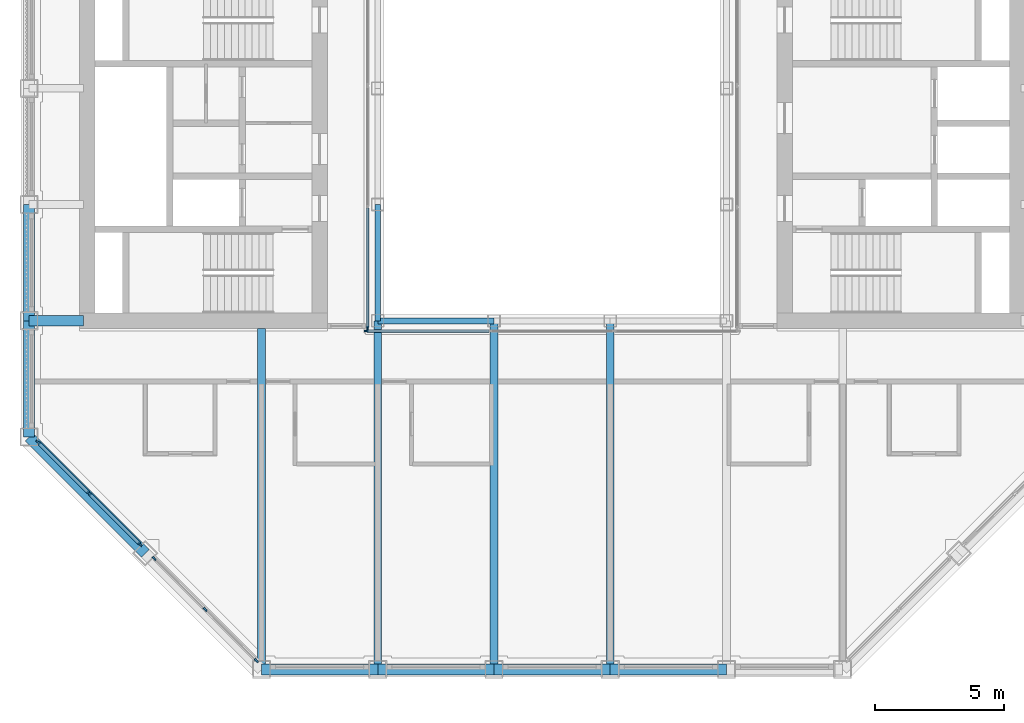
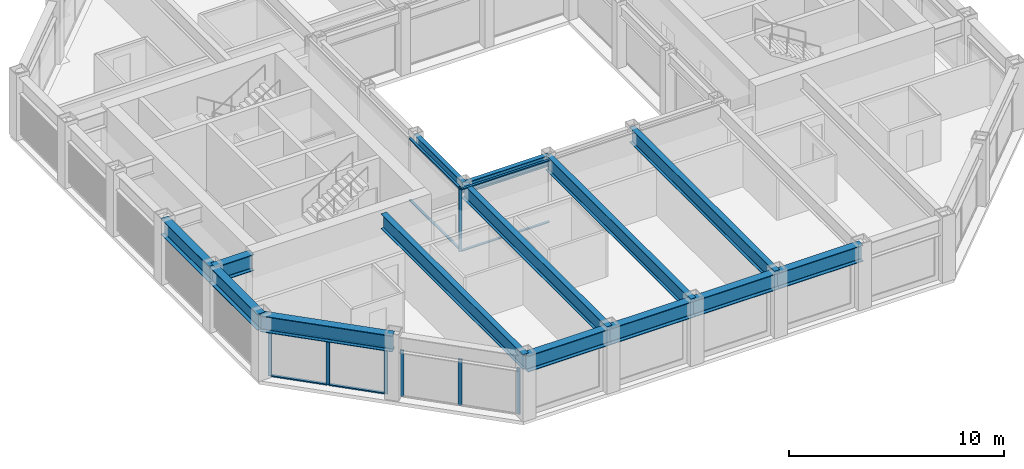
# One storey, part 2 of 16: 16 members, 14 beams, 4 elements without a shape of their own.
"""IFC4 building model written with IfcOpenShell, lengths in metres."""

from ifc_helpers import new_model, si_unit, direction, frame, origin, origin_2d, place, context, subcontext, project, spatial, rectangle, i_section, extrude, material, material_profile, profile_set, type_object, element, aggregate, save


model = new_model("IFC4")

# Units and contexts
model_context = context("Model", 3, precision=1e-05, world=origin(), true_north=direction((0.0, 1.0)))
body_context = subcontext(model_context, "Body", "Model", "MODEL_VIEW")
ifc_project = project(units=[si_unit("LENGTHUNIT", "METRE"), si_unit("AREAUNIT", "SQUARE_METRE"), si_unit("VOLUMEUNIT", "CUBIC_METRE"), si_unit("PLANEANGLEUNIT", "RADIAN"), si_unit("MASSUNIT", "GRAM", prefix="KILO")], contexts=[model_context])

# Site, building, storey
site_placement = place(None, origin())
site = spatial("IfcSite", under=ifc_project, at=site_placement, CompositionType="ELEMENT")
building_placement = place(site_placement, origin())
building = spatial("IfcBuilding", under=site, at=building_placement, Name="Msasa Ring Tower", CompositionType="ELEMENT")
storey_placement = place(building_placement, frame((0.0, 0.0, 219.550048828125)))
storey = spatial("IfcBuildingStorey", under=building, at=storey_placement, Name="L57", CompositionType="ELEMENT", Elevation=219.550048828125)

# Curtain wall, members
ifc_material_1 = material(Name="Aluminium curtain wall with clear glass", Category="aluminium")
curtain_wall_type_1 = type_object("IfcCurtainWallType", Name="CW-C CHAMFER CORNER CURTAIN WALL", PredefinedType="NOTDEFINED", material=ifc_material_1)
curtain_wall_1_placement = place(storey_placement, origin())
curtain_wall_1 = element("IfcCurtainWall", 1, at=curtain_wall_1_placement, inside=storey, type_object=curtain_wall_type_1, Name="Chamfer corner curtain wall SW L57", PredefinedType="NOTDEFINED")
ifc_material_2 = material(Name="Aluminium mullion", Category="aluminium")
ifc_material_profile_1 = material_profile(ifc_material_2, rectangle(XDim=0.06494140625, YDim=0.179931640625, at=origin_2d()), Name="AL 65x180")
ifc_profile_set_1 = profile_set([ifc_material_profile_1], Name="Aluminium mullion")
member_type_1 = type_object("IfcMemberType", Name="CW-C MULLION 65x180", PredefinedType="MULLION", material=ifc_profile_set_1)
member_1_placement = place(storey_placement, frame((-19.9052734375, -11.453369140625, 0.0), z_axis=(0.0, 0.0, 1.0), x_axis=(0.707106781187, 0.707106781187, 0.0)))
member_1 = element("IfcMember", 2, at=member_1_placement, type_object=member_type_1, Name="CW-C mullion 1", PredefinedType="MULLION", context=body_context, shape_type="SweptSolid", body=[
    extrude(rectangle(XDim=0.06494140625, YDim=0.179931640625, at=origin_2d()), origin(), (0.0, 0.0, 1.0), 2.62890625),
])
member_2_placement = place(storey_placement, frame((-17.92919921875, -13.42919921875, 0.0), z_axis=(0.0, 0.0, 1.0), x_axis=(0.707106781187, 0.707106781187, 0.0)))
member_2 = element("IfcMember", 3, at=member_2_placement, type_object=member_type_1, Name="CW-C mullion 2", PredefinedType="MULLION", context=body_context, shape_type="SweptSolid", body=[
    extrude(rectangle(XDim=0.06494140625, YDim=0.179931640625, at=origin_2d()), origin(), (0.0, 0.0, 1.0), 2.62890625),
])
member_3_placement = place(storey_placement, frame((-15.953369140625, -15.4052734375, 0.0), z_axis=(0.0, 0.0, 1.0), x_axis=(0.707106781187, 0.707106781187, 0.0)))
member_3 = element("IfcMember", 4, at=member_3_placement, type_object=member_type_1, Name="CW-C mullion 3", PredefinedType="MULLION", context=body_context, shape_type="SweptSolid", body=[
    extrude(rectangle(XDim=0.06494140625, YDim=0.179931640625, at=origin_2d()), origin(), (0.0, 0.0, 1.0), 2.62890625),
])

curtain_wall_2_placement = place(storey_placement, origin())
curtain_wall_2 = element("IfcCurtainWall", 5, at=curtain_wall_2_placement, inside=storey, type_object=curtain_wall_type_1, Name="Chamfer corner curtain wall SW L57", PredefinedType="NOTDEFINED")
member_4_placement = place(storey_placement, frame((-15.4052734375, -15.953369140625, 0.0), z_axis=(0.0, 0.0, 1.0), x_axis=(0.707106781187, 0.707106781187, 0.0)))
member_4 = element("IfcMember", 6, at=member_4_placement, type_object=member_type_1, Name="CW-C mullion 1", PredefinedType="MULLION", context=body_context, shape_type="SweptSolid", body=[
    extrude(rectangle(XDim=0.06494140625, YDim=0.179931640625, at=origin_2d()), origin(), (0.0, 0.0, 1.0), 2.62890625),
])
member_5_placement = place(storey_placement, frame((-13.42919921875, -17.92919921875, 0.0), z_axis=(0.0, 0.0, 1.0), x_axis=(0.707106781187, 0.707106781187, 0.0)))
member_5 = element("IfcMember", 7, at=member_5_placement, type_object=member_type_1, Name="CW-C mullion 2", PredefinedType="MULLION", context=body_context, shape_type="SweptSolid", body=[
    extrude(rectangle(XDim=0.06494140625, YDim=0.179931640625, at=origin_2d()), origin(), (0.0, 0.0, 1.0), 2.62890625),
])
member_6_placement = place(storey_placement, frame((-11.453369140625, -19.9052734375, 0.0), z_axis=(0.0, 0.0, 1.0), x_axis=(0.707106781187, 0.707106781187, 0.0)))
member_6 = element("IfcMember", 8, at=member_6_placement, type_object=member_type_1, Name="CW-C mullion 3", PredefinedType="MULLION", context=body_context, shape_type="SweptSolid", body=[
    extrude(rectangle(XDim=0.06494140625, YDim=0.179931640625, at=origin_2d()), origin(), (0.0, 0.0, 1.0), 2.62890625),
])
aggregate(curtain_wall_2, [member_4, member_5, member_6])

# Member
ifc_material_3 = material(Name="Aluminium transom", Category="aluminium")
ifc_material_profile_2 = material_profile(ifc_material_3, rectangle(XDim=0.139892578125, YDim=0.06494140625, at=origin_2d()), Name="AL 65x140")
ifc_profile_set_2 = profile_set([ifc_material_profile_2], Name="Aluminium transom")
member_type_2 = type_object("IfcMemberType", Name="CW-C TRANSOM 65x140", PredefinedType="USERDEFINED", material=ifc_profile_set_2)
member_7_placement = place(storey_placement, frame((-19.88232421875, -11.476318359375, 0.032470703125), z_axis=(0.707106781187, -0.707106781187, 0.0), x_axis=(0.707106781187, 0.707106781187, 0.0)))
member_7 = element("IfcMember", 9, at=member_7_placement, type_object=member_type_2, Name="CW-C transom 1.1", ObjectType="TRANSOM", PredefinedType="USERDEFINED", context=body_context, shape_type="SweptSolid", body=[
    extrude(rectangle(XDim=0.139892578125, YDim=0.06494140625, at=origin_2d()), origin(), (0.0, 0.0, 1.0), 2.729248046875),
])

member_8_placement = place(storey_placement, frame((-19.88232421875, -11.476318359375, 2.596435546875), z_axis=(0.707106781187, -0.707106781187, 0.0), x_axis=(0.707106781187, 0.707106781187, 0.0)))
member_8 = element("IfcMember", 10, at=member_8_placement, type_object=member_type_2, Name="CW-C transom 1.2", ObjectType="TRANSOM", PredefinedType="USERDEFINED", context=body_context, shape_type="SweptSolid", body=[
    extrude(rectangle(XDim=0.139892578125, YDim=0.06494140625, at=origin_2d()), origin(), (0.0, 0.0, 1.0), 2.729248046875),
])

member_9_placement = place(storey_placement, frame((-17.90625, -13.452392578125, 0.032470703125), z_axis=(0.707106781187, -0.707106781187, 0.0), x_axis=(0.707106781187, 0.707106781187, 0.0)))
member_9 = element("IfcMember", 11, at=member_9_placement, type_object=member_type_2, Name="CW-C transom 2.1", ObjectType="TRANSOM", PredefinedType="USERDEFINED", context=body_context, shape_type="SweptSolid", body=[
    extrude(rectangle(XDim=0.139892578125, YDim=0.06494140625, at=origin_2d()), origin(), (0.0, 0.0, 1.0), 2.729248046875),
])

member_10_placement = place(storey_placement, frame((-17.90625, -13.452392578125, 2.596435546875), z_axis=(0.707106781187, -0.707106781187, 0.0), x_axis=(0.707106781187, 0.707106781187, 0.0)))
member_10 = element("IfcMember", 12, at=member_10_placement, type_object=member_type_2, Name="CW-C transom 2.2", ObjectType="TRANSOM", PredefinedType="USERDEFINED", context=body_context, shape_type="SweptSolid", body=[
    extrude(rectangle(XDim=0.139892578125, YDim=0.06494140625, at=origin_2d()), origin(), (0.0, 0.0, 1.0), 2.729248046875),
])

aggregate(curtain_wall_1, [member_1, member_2, member_3, member_7, member_8, member_9, member_10])

# Curtain wall, member
ifc_material_4 = material(Name="Aluminium curtain wall with clear glass", Category="aluminium")
curtain_wall_type_2 = type_object("IfcCurtainWallType", Name="CW-W LIGHT WELL CURTAIN WALL", PredefinedType="NOTDEFINED", material=ifc_material_4)
curtain_wall_3_placement = place(storey_placement, origin())
curtain_wall_3 = element("IfcCurtainWall", 13, at=curtain_wall_3_placement, inside=storey, type_object=curtain_wall_type_2, Name="Light well curtain wall S L57", PredefinedType="NOTDEFINED")
ifc_material_5 = material(Name="Aluminium mullion", Category="aluminium")
ifc_material_profile_3 = material_profile(ifc_material_5, rectangle(XDim=0.06005859375, YDim=0.159912109375, at=origin_2d()), Name="AL 60x160")
ifc_profile_set_3 = profile_set([ifc_material_profile_3], Name="Aluminium mullion")
member_type_3 = type_object("IfcMemberType", Name="CW-W MULLION 60x160", PredefinedType="MULLION", material=ifc_profile_set_3)
member_11_placement = place(storey_placement, frame((-7.199951171875, -7.14990234375, 0.0), z_axis=(0.0, 0.0, 1.0), x_axis=(0.0, 1.0, 0.0)))
member_11 = element("IfcMember", 14, at=member_11_placement, type_object=member_type_3, Name="CW-W mullion 1", PredefinedType="MULLION", context=body_context, shape_type="SweptSolid", body=[
    extrude(rectangle(XDim=0.06005859375, YDim=0.159912109375, at=origin_2d()), origin(), (0.0, 0.0, 1.0), 3.550048828125),
])

curtain_wall_4_placement = place(storey_placement, origin())
curtain_wall_4 = element("IfcCurtainWall", 15, at=curtain_wall_4_placement, inside=storey, type_object=curtain_wall_type_2, Name="Light well curtain wall W L57", PredefinedType="NOTDEFINED")
member_12_placement = place(storey_placement, frame((-7.14990234375, -7.0400390625, 0.0), z_axis=(0.0, 0.0, 1.0), x_axis=(-1.0, 0.0, 0.0)))
member_12 = element("IfcMember", 16, at=member_12_placement, type_object=member_type_3, Name="CW-W mullion 1", PredefinedType="MULLION", context=body_context, shape_type="SweptSolid", body=[
    extrude(rectangle(XDim=0.06005859375, YDim=0.159912109375, at=origin_2d()), origin(), (0.0, 0.0, 1.0), 3.550048828125),
])

# Member
ifc_material_6 = material(Name="Aluminium transom", Category="aluminium")
ifc_material_profile_4 = material_profile(ifc_material_6, rectangle(XDim=0.1201171875, YDim=0.06005859375, at=origin_2d()), Name="AL 60x120")
ifc_profile_set_4 = profile_set([ifc_material_profile_4], Name="Aluminium transom")
member_type_4 = type_object("IfcMemberType", Name="CW-W TRANSOM 60x120", PredefinedType="USERDEFINED", material=ifc_profile_set_4)
member_13_placement = place(storey_placement, frame((-7.169921875, -7.14990234375, 0.030029296875), z_axis=(1.0, 0.0, 0.0), x_axis=(0.0, 1.0, 0.0)))
member_13 = element("IfcMember", 17, at=member_13_placement, type_object=member_type_4, Name="CW-W transom 1.1", ObjectType="TRANSOM", PredefinedType="USERDEFINED", context=body_context, shape_type="SweptSolid", body=[
    extrude(rectangle(XDim=0.1201171875, YDim=0.06005859375, at=origin_2d()), origin(), (0.0, 0.0, 1.0), 4.72998046875),
])

member_14_placement = place(storey_placement, frame((-7.169921875, -7.14990234375, 3.52001953125), z_axis=(1.0, 0.0, 0.0), x_axis=(0.0, 1.0, 0.0)))
member_14 = element("IfcMember", 18, at=member_14_placement, type_object=member_type_4, Name="CW-W transom 1.2", ObjectType="TRANSOM", PredefinedType="USERDEFINED", context=body_context, shape_type="SweptSolid", body=[
    extrude(rectangle(XDim=0.1201171875, YDim=0.06005859375, at=origin_2d()), origin(), (0.0, 0.0, 1.0), 4.72998046875),
])

aggregate(curtain_wall_3, [member_11, member_13, member_14])

member_15_placement = place(storey_placement, frame((-7.14990234375, -7.010009765625, 0.030029296875), z_axis=(0.0, 1.0, 0.0), x_axis=(-1.0, 0.0, 0.0)))
member_15 = element("IfcMember", 19, at=member_15_placement, type_object=member_type_4, Name="CW-W transom 1.1", ObjectType="TRANSOM", PredefinedType="USERDEFINED", context=body_context, shape_type="SweptSolid", body=[
    extrude(rectangle(XDim=0.1201171875, YDim=0.06005859375, at=origin_2d()), origin(), (0.0, 0.0, 1.0), 4.623291015625),
])

member_16_placement = place(storey_placement, frame((-7.14990234375, -7.010009765625, 3.52001953125), z_axis=(0.0, 1.0, 0.0), x_axis=(-1.0, 0.0, 0.0)))
member_16 = element("IfcMember", 20, at=member_16_placement, type_object=member_type_4, Name="CW-W transom 1.2", ObjectType="TRANSOM", PredefinedType="USERDEFINED", context=body_context, shape_type="SweptSolid", body=[
    extrude(rectangle(XDim=0.1201171875, YDim=0.06005859375, at=origin_2d()), origin(), (0.0, 0.0, 1.0), 4.623291015625),
])

aggregate(curtain_wall_4, [member_12, member_15, member_16])

# Beams
ifc_material_7 = material(Name="Steel S355", Category="steel")
ifc_material_profile_5 = material_profile(ifc_material_7, i_section(OverallWidth=0.293701171875, OverallDepth=0.850830078125, WebThickness=0.01611328125, FlangeThickness=0.02685546875, FilletRadius=0.017822265625, at=origin_2d()), Name="UB 838x292x226")
ifc_profile_set_5 = profile_set([ifc_material_profile_5], Name="Steel S355")
beam_type_1 = type_object("IfcBeamType", Name="FB5 UB 838x292x226", PredefinedType="BEAM", material=ifc_profile_set_5)
beam_1_placement = place(storey_placement, frame((-11.25, -20.25, 3.12451171875), z_axis=(0.0, 1.0, 0.0), x_axis=(-1.0, 0.0, 0.0)))
element("IfcBeam", 21, at=beam_1_placement, inside=storey, type_object=beam_type_1, Name="Floor beam S-11.25 under L58", PredefinedType="BEAM", context=body_context, shape_type="SweptSolid", body=[
    extrude(i_section(OverallWidth=0.293701171875, OverallDepth=0.850830078125, WebThickness=0.01611328125, FlangeThickness=0.02685546875, FilletRadius=0.017822265625, at=origin_2d()), origin(), (0.0, 0.0, 1.0), 13.199951171875),
])
for number, where, z_axis, x_axis, name in (
    (22, (-6.75, -20.25, 3.12451171875), (0.0, 1.0, 0.0), (-1.0, 0.0, 0.0), "Floor beam S-6.75 under L58"),
    (23, (-2.25, -20.25, 3.12451171875), (0.0, 1.0, 0.0), (-1.0, 0.0, 0.0), "Floor beam S-2.25 under L58"),
    (24, (2.25, -20.25, 3.12451171875), (0.0, 1.0, 0.0), (-1.0, 0.0, 0.0), "Floor beam S+2.25 under L58"),
):
    element("IfcBeam", number, at=place(storey_placement, frame(where, z_axis=z_axis, x_axis=x_axis)), inside=storey, type_object=beam_type_1, Name=name, PredefinedType="BEAM", context=body_context, shape_type="SweptSolid", body=[
        extrude(i_section(OverallWidth=0.293701171875, OverallDepth=0.850830078125, WebThickness=0.01611328125, FlangeThickness=0.02685546875, FilletRadius=0.017822265625, at=origin_2d()), origin(), (0.0, 0.0, 1.0), 13.5),
    ])
ifc_material_8 = material(Name="Steel S355", Category="steel")
ifc_material_profile_6 = material_profile(ifc_material_8, i_section(OverallWidth=0.42041015625, OverallDepth=0.9208984375, WebThickness=0.021484375, FlangeThickness=0.03662109375, FilletRadius=0.024169921875, at=origin_2d()), Name="UB 914x419x388")
ifc_profile_set_6 = profile_set([ifc_material_profile_6], Name="Steel S355")
beam_type_2 = type_object("IfcBeamType", Name="GB1 UB 914x419x388", PredefinedType="BEAM", material=ifc_profile_set_6)
beam_2_placement = place(storey_placement, frame((-18.14990234375, -6.75, 3.08935546875), z_axis=(-1.0, 0.0, 0.0), x_axis=(0.0, -1.0, 0.0)))
element("IfcBeam", 25, at=beam_2_placement, inside=storey, type_object=beam_type_2, Name="Girder W -6.75 under L58", PredefinedType="BEAM", context=body_context, shape_type="SweptSolid", body=[
    extrude(i_section(OverallWidth=0.42041015625, OverallDepth=0.9208984375, WebThickness=0.021484375, FlangeThickness=0.03662109375, FilletRadius=0.024169921875, at=origin_2d()), origin(), (0.0, 0.0, 1.0), 2.10009765625),
])
ifc_material_9 = material(Name="Steel S355", Category="steel")
ifc_material_profile_7 = material_profile(ifc_material_9, i_section(OverallWidth=0.230224609375, OverallDepth=0.6171875, WebThickness=0.01318359375, FlangeThickness=0.022216796875, FilletRadius=0.0126953125, at=origin_2d()), Name="UB 610x229x140")
ifc_profile_set_7 = profile_set([ifc_material_profile_7], Name="Steel S355")
beam_type_3 = type_object("IfcBeamType", Name="RB1 UB 610x229x140", PredefinedType="BEAM", material=ifc_profile_set_7)
for number, where, z_axis, x_axis, name in (
    (26, (-6.75, -2.25, 3.241455078125), (0.0, -1.0, 0.0), (1.0, 0.0, 0.0), "Inner ring beam IR-6.75-2.25 under L58"),
    (27, (-6.75, -6.75, 3.241455078125), (1.0, 0.0, 0.0), (0.0, 1.0, 0.0), "Inner ring beam IR-6.75-6.75 under L58"),
):
    element("IfcBeam", number, at=place(storey_placement, frame(where, z_axis=z_axis, x_axis=x_axis)), inside=storey, type_object=beam_type_3, Name=name, PredefinedType="BEAM", context=body_context, shape_type="SweptSolid", body=[
        extrude(i_section(OverallWidth=0.230224609375, OverallDepth=0.6171875, WebThickness=0.01318359375, FlangeThickness=0.022216796875, FilletRadius=0.0126953125, at=origin_2d()), origin(), (0.0, 0.0, 1.0), 4.5),
    ])
ifc_material_10 = material(Name="Steel S355", Category="steel")
ifc_material_profile_8 = material_profile(ifc_material_10, i_section(OverallWidth=0.42041015625, OverallDepth=0.9208984375, WebThickness=0.021484375, FlangeThickness=0.03662109375, FilletRadius=0.024169921875, at=origin_2d()), Name="UB 914x419x388")
ifc_profile_set_8 = profile_set([ifc_material_profile_8], Name="Steel S355")
beam_type_4 = type_object("IfcBeamType", Name="SB1 UB 914x419x388", PredefinedType="SPANDREL", material=ifc_profile_set_8)
for number, where, z_axis, x_axis, name in (
    (28, (-20.25, -2.25, 3.08935546875), (0.0, -1.0, 0.0), (1.0, 0.0, 0.0), "Spandrel W-2.25 to W-6.75 under L58"),
    (29, (-20.25, -6.75, 3.08935546875), (0.0, -1.0, 0.0), (1.0, 0.0, 0.0), "Spandrel W-6.75 to W-11.25 under L58"),
):
    element("IfcBeam", number, at=place(storey_placement, frame(where, z_axis=z_axis, x_axis=x_axis)), inside=storey, type_object=beam_type_4, Name=name, PredefinedType="SPANDREL", context=body_context, shape_type="SweptSolid", body=[
        extrude(i_section(OverallWidth=0.42041015625, OverallDepth=0.9208984375, WebThickness=0.021484375, FlangeThickness=0.03662109375, FilletRadius=0.024169921875, at=origin_2d()), origin(), (0.0, 0.0, 1.0), 4.5),
    ])
beam_3_placement = place(storey_placement, frame((-20.25, -11.25, 3.08935546875), z_axis=(0.707106781187, -0.707106781187, 0.0), x_axis=(0.707106781187, 0.707106781187, 0.0)))
element("IfcBeam", 30, at=beam_3_placement, inside=storey, type_object=beam_type_4, Name="Spandrel W-11.25 to SW under L58", PredefinedType="SPANDREL", context=body_context, shape_type="SweptSolid", body=[
    extrude(i_section(OverallWidth=0.42041015625, OverallDepth=0.9208984375, WebThickness=0.021484375, FlangeThickness=0.03662109375, FilletRadius=0.024169921875, at=origin_2d()), origin(), (0.0, 0.0, 1.0), 6.364013671875),
])
for number, where, z_axis, x_axis, name in (
    (31, (-11.25, -20.25, 3.08935546875), (1.0, 0.0, 0.0), (0.0, 1.0, 0.0), "Spandrel S-11.25 to S-6.75 under L58"),
    (32, (-6.75, -20.25, 3.08935546875), (1.0, 0.0, 0.0), (0.0, 1.0, 0.0), "Spandrel S-6.75 to S-2.25 under L58"),
    (33, (-2.25, -20.25, 3.08935546875), (1.0, 0.0, 0.0), (0.0, 1.0, 0.0), "Spandrel S-2.25 to S+2.25 under L58"),
    (34, (2.25, -20.25, 3.08935546875), (1.0, 0.0, 0.0), (0.0, 1.0, 0.0), "Spandrel S+2.25 to S+6.75 under L58"),
):
    element("IfcBeam", number, at=place(storey_placement, frame(where, z_axis=z_axis, x_axis=x_axis)), inside=storey, type_object=beam_type_4, Name=name, PredefinedType="SPANDREL", context=body_context, shape_type="SweptSolid", body=[
        extrude(i_section(OverallWidth=0.42041015625, OverallDepth=0.9208984375, WebThickness=0.021484375, FlangeThickness=0.03662109375, FilletRadius=0.024169921875, at=origin_2d()), origin(), (0.0, 0.0, 1.0), 4.5),
    ])

save(model, "model.ifc")
